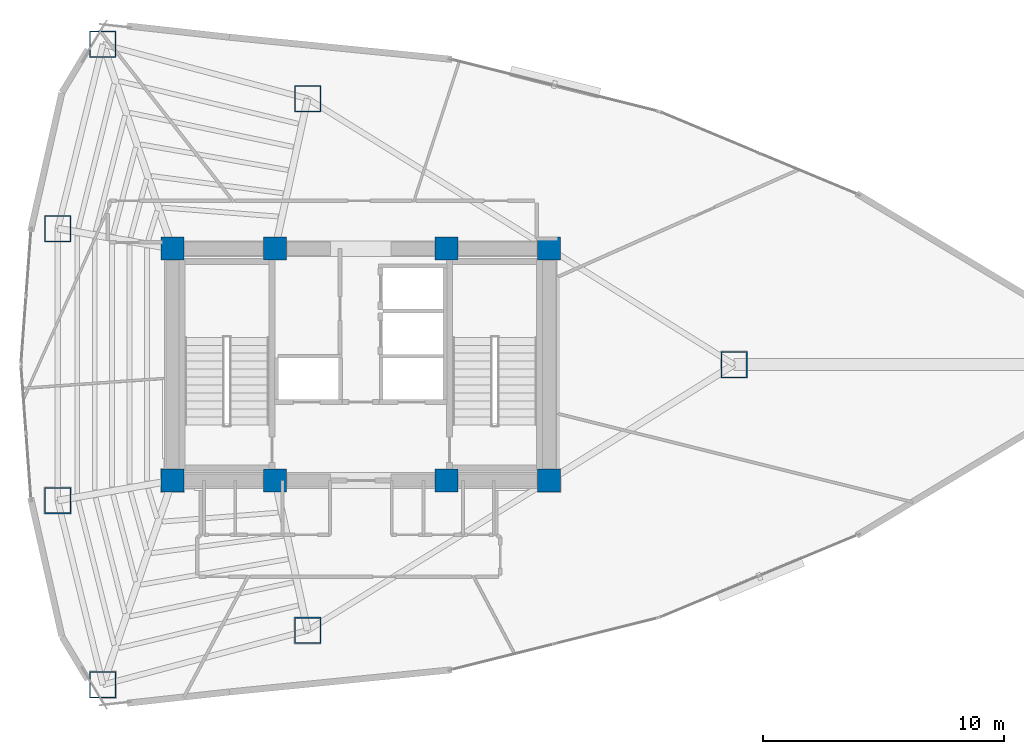
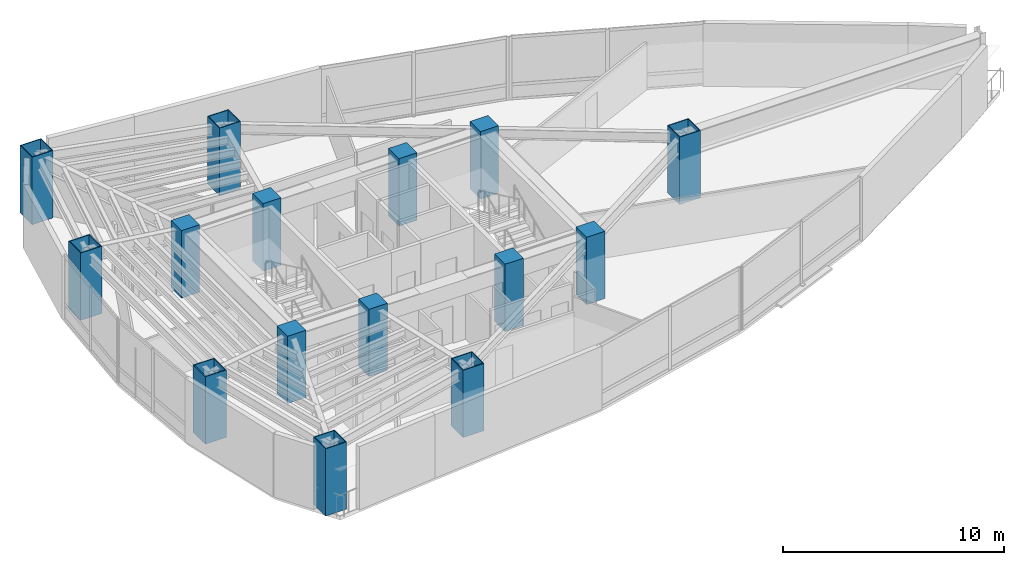
# One storey, part 1 of 18: 15 columns.
"""IFC4 building model written with IfcOpenShell, lengths in metres."""

from ifc_helpers import new_model, si_unit, direction, frame, origin, origin_2d, place, context, subcontext, project, spatial, rectangle, hollow_rectangle, extrude, material, material_profile, profile_set, type_object, element, save


model = new_model("IFC4")

# Units and contexts
model_context = context("Model", 3, precision=1e-05, world=origin(), true_north=direction((0.0, 1.0)))
body_context = subcontext(model_context, "Body", "Model", "MODEL_VIEW")
ifc_project = project(units=[si_unit("LENGTHUNIT", "METRE"), si_unit("AREAUNIT", "SQUARE_METRE"), si_unit("VOLUMEUNIT", "CUBIC_METRE"), si_unit("PLANEANGLEUNIT", "RADIAN"), si_unit("MASSUNIT", "GRAM", prefix="KILO")], contexts=[model_context])

# Site, building, storey
site_placement = place(None, origin())
site = spatial("IfcSite", under=ifc_project, at=site_placement, CompositionType="ELEMENT")
building_placement = place(site_placement, origin())
building = spatial("IfcBuilding", under=site, at=building_placement, Name="Menara Vayukalpa", CompositionType="ELEMENT")
storey_placement = place(building_placement, frame((0.0, 0.0, 161.760009765625)))
storey = spatial("IfcBuildingStorey", under=building, at=storey_placement, Name="L40", CompositionType="ELEMENT", Elevation=161.760009765625)

# Columns
ifc_material_1 = material(Name="Concrete C60/75", Category="concrete")
ifc_material_profile_1 = material_profile(ifc_material_1, rectangle(XDim=0.949951171875, YDim=0.949951171875, at=origin_2d()), Name="RC 950x950")
ifc_profile_set_1 = profile_set([ifc_material_profile_1], Name="Concrete C60/75")
column_type_1 = type_object("IfcColumnType", Name="COL-CC2", PredefinedType="COLUMN", material=ifc_profile_set_1)
for number, where, z_axis, x_axis, name in (
    (1, (17.800048828125, 17.199951171875, 0.0), (0.0, 0.0, 1.0), (1.0, 0.0, 0.0), "L40 Core Pilaster Column CC1"),
    (2, (22.050048828125, 17.199951171875, 0.0), (0.0, 0.0, 1.0), (1.0, 0.0, 0.0), "L40 Core Pilaster Column CC2"),
    (3, (29.14990234375, 17.199951171875, 0.0), (0.0, 0.0, 1.0), (1.0, 0.0, 0.0), "L40 Core Pilaster Column CC3"),
    (4, (33.39990234375, 17.199951171875, 0.0), (0.0, 0.0, 1.0), (1.0, 0.0, 0.0), "L40 Core Pilaster Column CC4"),
    (5, (17.800048828125, 26.800048828125, 0.0), (0.0, 0.0, 1.0), (1.0, 0.0, 0.0), "L40 Core Pilaster Column CC5"),
    (6, (22.050048828125, 26.800048828125, 0.0), (0.0, 0.0, 1.0), (1.0, 0.0, 0.0), "L40 Core Pilaster Column CC6"),
    (7, (29.14990234375, 26.800048828125, 0.0), (0.0, 0.0, 1.0), (1.0, 0.0, 0.0), "L40 Core Pilaster Column CC7"),
    (8, (33.39990234375, 26.800048828125, 0.0), (0.0, 0.0, 1.0), (1.0, 0.0, 0.0), "L40 Core Pilaster Column CC8"),
):
    element("IfcColumn", number, at=place(storey_placement, frame(where, z_axis=z_axis, x_axis=x_axis)), inside=storey, type_object=column_type_1, Name=name, PredefinedType="COLUMN", context=body_context, shape_type="SweptSolid", body=[
        extrude(rectangle(XDim=0.949951171875, YDim=0.949951171875, at=origin_2d()), origin(), (0.0, 0.0, 1.0), 3.719970703125),
    ])
ifc_material_2 = material(Name="Steel S460", Category="steel")
ifc_material_profile_2 = material_profile(ifc_material_2, hollow_rectangle(XDim=1.10009765625, YDim=1.10009765625, WallThickness=0.044921875, at=origin_2d()), Name="BOX 1100x1100x45")
ifc_profile_set_2 = profile_set([ifc_material_profile_2], Name="Steel S460")
column_type_2 = type_object("IfcColumnType", Name="COL-MC3", PredefinedType="COLUMN", material=ifc_profile_set_2)
for number, where, z_axis, x_axis, name in (
    (9, (41.05908203125, 22.0, 0.0), (0.0, 0.0, 1.0), (1.0, 0.0, 0.0), "L40 Perimeter Mega Column P01"),
    (10, (23.39697265625, 33.011962890625, 0.0), (0.0, 0.0, 1.0), (1.0, 0.0, 0.0), "L40 Perimeter Mega Column P03"),
    (11, (14.92041015625, 35.260498046875, 0.0), (0.0, 0.0, 1.0), (1.0, 0.0, 0.0), "L40 Perimeter Mega Column P04"),
    (12, (13.049072265625, 27.6318359375, 0.0), (0.0, 0.0, 1.0), (1.0, 0.0, 0.0), "L40 Perimeter Mega Column P05"),
    (13, (13.049072265625, 16.3681640625, 0.0), (0.0, 0.0, 1.0), (1.0, 0.0, 0.0), "L40 Perimeter Mega Column P06"),
    (14, (14.92041015625, 8.739501953125, 0.0), (0.0, 0.0, 1.0), (1.0, 0.0, 0.0), "L40 Perimeter Mega Column P07"),
    (15, (23.39697265625, 10.988037109375, 0.0), (0.0, 0.0, 1.0), (1.0, 0.0, 0.0), "L40 Perimeter Mega Column P08"),
):
    element("IfcColumn", number, at=place(storey_placement, frame(where, z_axis=z_axis, x_axis=x_axis)), inside=storey, type_object=column_type_2, Name=name, PredefinedType="COLUMN", context=body_context, shape_type="SweptSolid", body=[
        extrude(hollow_rectangle(XDim=1.10009765625, YDim=1.10009765625, WallThickness=0.044921875, at=origin_2d()), origin(), (0.0, 0.0, 1.0), 3.719970703125),
    ])

save(model, "model.ifc")
